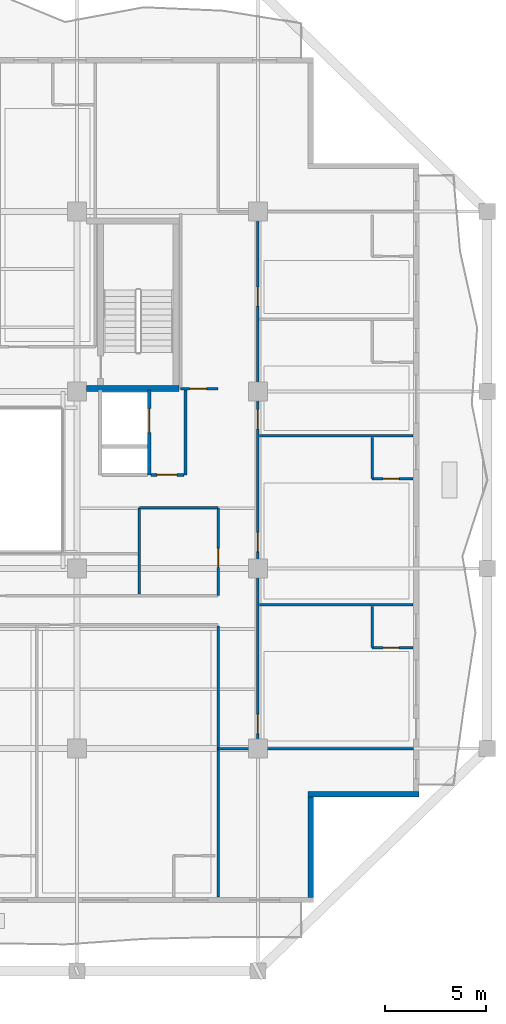
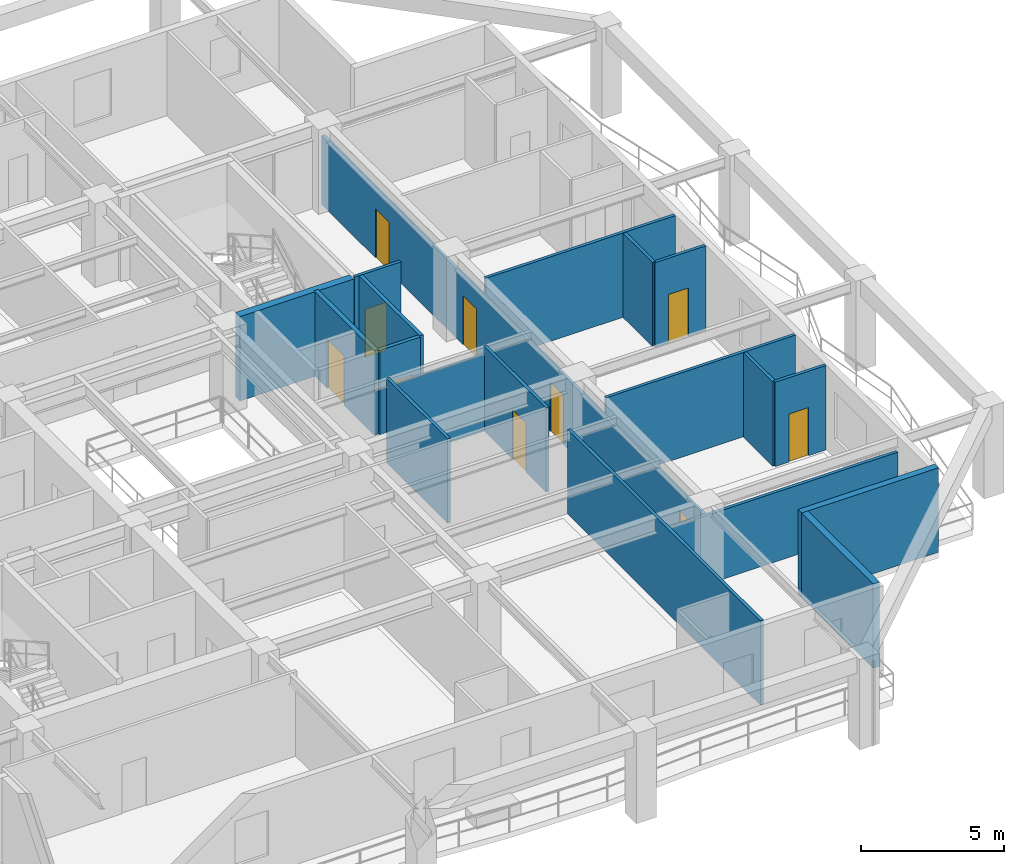
# One storey, part 5 of 13: 19 walls, 10 doors, 10 openings.
"""IFC4 building model written with IfcOpenShell, lengths in metres."""

import ifcopenshell
import ifcopenshell.guid

model = None  # the IFC model being written
_history = None  # IfcOwnerHistory: only IFC2X3 demands one
_inside = {}  # id of a spatial element -> (the spatial element, [elements in it])
_under = {}  # id of a project, library or spatial element -> (it, [spatial elements below it])
_declared = {}  # id of a project -> (the project, [libraries it declares])
_typed = {}  # id of a type object -> (the type object, [elements of that type])
_made_of = {}  # id of a material, layer set ... -> (it, [elements and type objects made of it])


def new_model(schema):
    """Start an empty IFC model of exactly this schema.

    Asked for "IFC4X3", IfcOpenShell would pick the latest addendum, in which some entities
    have other attributes; the version numbers below select the first issue.
    IFC2X3 requires an IfcOwnerHistory on every rooted entity: one is made here for all.
    """
    global model, _history
    if schema == "IFC4X3":
        model = ifcopenshell.file(schema_version=(4, 3, 0, 0))
    else:
        model = ifcopenshell.file(schema=schema)
    _inside.clear()
    _under.clear()
    _declared.clear()
    _typed.clear()
    _made_of.clear()
    _history = None
    if model.schema == "IFC2X3":
        org = make("IfcOrganization", Name="unknown")
        user = make(
            "IfcPersonAndOrganization",
            ThePerson=make("IfcPerson", FamilyName="unknown"),
            TheOrganization=org,
        )
        app = make(
            "IfcApplication",
            ApplicationDeveloper=org,
            Version="unknown",
            ApplicationFullName="unknown",
            ApplicationIdentifier="unknown",
        )
        _history = make(
            "IfcOwnerHistory",
            OwningUser=user,
            OwningApplication=app,
            ChangeAction="ADDED",
            CreationDate=0,
        )
    return model


def make(cls, **values):
    """One entity of the class cls with the attributes given. An attribute that is None is left unset."""
    return model.create_entity(
        cls, **{name: value for name, value in values.items() if value is not None}
    )


def rooted(cls, **values):
    """An entity with a GlobalId (a new one), such as an element, a storey or a relation."""
    return make(cls, GlobalId=ifcopenshell.guid.new(), OwnerHistory=_history, **values)


def si_unit(unit_type, name, prefix=None):
    """IfcSIUnit, for example si_unit("LENGTHUNIT", "METRE", prefix="MILLI")."""
    return make("IfcSIUnit", UnitType=unit_type, Prefix=prefix, Name=name)


def assignment(units):
    """IfcUnitAssignment: the units of a project."""
    return None if units is None else make("IfcUnitAssignment", Units=units)


def point(xyz):
    """IfcCartesianPoint."""
    return None if xyz is None else make("IfcCartesianPoint", Coordinates=xyz)


def direction(xyz):
    """IfcDirection."""
    return None if xyz is None else make("IfcDirection", DirectionRatios=xyz)


def frame(location, z_axis=None, x_axis=None):
    """IfcAxis2Placement3D, a coordinate frame: its origin and axes. An axis left out is left unset."""
    return make(
        "IfcAxis2Placement3D",
        Location=point(location),
        Axis=direction(z_axis),
        RefDirection=direction(x_axis),
    )


def frame_2d(location, x_axis=None):
    """IfcAxis2Placement2D, a coordinate frame in the plane: its origin and x axis."""
    return make(
        "IfcAxis2Placement2D", Location=point(location), RefDirection=direction(x_axis)
    )


def origin():
    """The frame at (0, 0, 0) with its axes left unset."""
    return frame((0.0, 0.0, 0.0))


def place(relative_to, where):
    """IfcLocalPlacement: puts the frame where relative to a parent placement (None: the world)."""
    return make(
        "IfcLocalPlacement", PlacementRelTo=relative_to, RelativePlacement=where
    )


def context(
    kind, dimensions, precision=None, world=None, true_north=None, identifier=None
):
    """IfcGeometricRepresentationContext, for example the 3D "Model" context."""
    return make(
        "IfcGeometricRepresentationContext",
        ContextIdentifier=identifier,
        ContextType=kind,
        CoordinateSpaceDimension=dimensions,
        Precision=precision,
        WorldCoordinateSystem=world,
        TrueNorth=true_north,
    )


def subcontext(parent, identifier, kind, view, scale=None):
    """IfcGeometricRepresentationSubContext, for example "Body" below "Model"."""
    return make(
        "IfcGeometricRepresentationSubContext",
        ContextIdentifier=identifier,
        ContextType=kind,
        ParentContext=parent,
        TargetScale=scale,
        TargetView=view,
    )


def project(units=None, contexts=None):
    """IfcProject with its units and contexts."""
    return rooted(
        "IfcProject",
        Name="project",
        RepresentationContexts=contexts,
        UnitsInContext=assignment(units),
    )


def spatial(cls, under=None, at=None, **own):
    """A site, building, storey or space (cls), placed at a placement, below another one or the project."""
    s = rooted(cls, ObjectPlacement=at, **own)
    if under is not None:
        _under.setdefault(under.id(), (under, []))[1].append(s)
    return s


def profile(cls, at=None, kind="AREA", **sizes):
    """A parametric profile (cls). Its sizes go by their IFC names, for example OverallWidth=200.0."""
    return make(cls, ProfileType=kind, Position=at, **sizes)


def rectangle(**sizes):
    """IfcRectangleProfileDef."""
    return profile("IfcRectangleProfileDef", **sizes)


def extrude(swept, where, along, depth):
    """IfcExtrudedAreaSolid: the profile swept, set in the frame where, extruded along a direction by depth."""
    return make(
        "IfcExtrudedAreaSolid",
        SweptArea=swept,
        Position=where,
        ExtrudedDirection=direction(along),
        Depth=depth,
    )


def shape(context_of_items, identifier, shape_type, items):
    """IfcShapeRepresentation: the items that make up one representation, for example the "Body"."""
    return make(
        "IfcShapeRepresentation",
        ContextOfItems=context_of_items,
        RepresentationIdentifier=identifier,
        RepresentationType=shape_type,
        Items=items,
    )


def material(Name=None, Category=None):
    """IfcMaterial."""
    return make("IfcMaterial", Name=Name, Category=Category)


def layer(
    of_material, thickness, ventilated=None, Name=None, Category=None, Priority=None
):
    """IfcMaterialLayer: one layer of a wall or slab, of a material (None: an air gap)."""
    return make(
        "IfcMaterialLayer",
        Material=of_material,
        LayerThickness=thickness,
        IsVentilated=ventilated,
        Name=Name,
        Category=Category,
        Priority=Priority,
    )


def layer_set(layers, Name=None):
    """IfcMaterialLayerSet."""
    return make("IfcMaterialLayerSet", MaterialLayers=layers, LayerSetName=Name)


def made_of(thing, what):
    """Note that an element or type object is made of a material, layer set ...; save() writes the relation."""
    if what is not None:
        _made_of.setdefault(what.id(), (what, []))[1].append(thing)
    return thing


def type_object(cls, material=None, **own):
    """A type object (cls), such as IfcWallType, which elements share."""
    return made_of(rooted(cls, **own), material)


def element(
    cls,
    number,
    at=None,
    inside=None,
    cuts=None,
    type_object=None,
    material=None,
    context=None,
    identifier="Body",
    shape_type=None,
    held_by="IfcProductDefinitionShape",
    body=None,
    shapes=None,
    **own,
):
    """One element of the class cls, such as IfcWall. Its Tag is "e" and its number.

    at: its placement. inside: the storey or other place that contains it. cuts: it is an
    opening in that element (IfcRelVoidsElement). A single representation is given by context,
    identifier, shape_type and body (its items); several are given by shapes. held_by: the class
    of the entity that holds the representations. save() writes the other relations.
    """
    e = rooted(cls, Tag="e%d" % number, ObjectPlacement=at, **own)
    if body is not None:
        shapes = [shape(context, identifier, shape_type, body)]
    if shapes is not None:
        e.Representation = make(held_by, Representations=shapes)
    if inside is not None:
        _inside.setdefault(inside.id(), (inside, []))[1].append(e)
    if cuts is not None:
        rooted(
            "IfcRelVoidsElement", RelatingBuildingElement=cuts, RelatedOpeningElement=e
        )
    if type_object is not None:
        _typed.setdefault(type_object.id(), (type_object, []))[1].append(e)
    return made_of(e, material)


def fill(opening, filler):
    """IfcRelFillsElement: the door or window that sits in an opening."""
    return rooted(
        "IfcRelFillsElement",
        RelatingOpeningElement=opening,
        RelatedBuildingElement=filler,
    )


def aggregate(whole, parts):
    """IfcRelAggregates: a whole, such as a stair, and the parts it consists of."""
    return rooted("IfcRelAggregates", RelatingObject=whole, RelatedObjects=parts)


def save(model, path):
    """Write the relations noted so far, then the file.

    IfcRelAggregates (storeys below a building ...), IfcRelContainedInSpatialStructure (elements
    in a storey), IfcRelDefinesByType, IfcRelAssociatesMaterial and IfcRelDeclares: one each for
    every whole, place, type object, material and project.
    """
    for whole, parts in _under.values():
        aggregate(whole, parts)
    for where, things in _inside.values():
        rooted(
            "IfcRelContainedInSpatialStructure",
            RelatedElements=things,
            RelatingStructure=where,
        )
    for kind, things in _typed.values():
        rooted("IfcRelDefinesByType", RelatedObjects=things, RelatingType=kind)
    for what, things in _made_of.values():
        rooted("IfcRelAssociatesMaterial", RelatedObjects=things, RelatingMaterial=what)
    for by, libraries in _declared.values():
        rooted("IfcRelDeclares", RelatingContext=by, RelatedDefinitions=libraries)
    model.write(path)


model = new_model("IFC4")

# Units and contexts
model_context = context("Model", 3, precision=1e-05, world=origin(), true_north=direction((0.0, 1.0)))
body_context = subcontext(model_context, "Body", "Model", "MODEL_VIEW")
ifc_project = project(units=[si_unit("LENGTHUNIT", "METRE"), si_unit("AREAUNIT", "SQUARE_METRE"), si_unit("VOLUMEUNIT", "CUBIC_METRE"), si_unit("PLANEANGLEUNIT", "RADIAN"), si_unit("MASSUNIT", "GRAM", prefix="KILO")], contexts=[model_context])

# Site, building, storey
site_placement = place(None, origin())
site = spatial("IfcSite", under=ifc_project, at=site_placement, CompositionType="ELEMENT")
building_placement = place(site_placement, origin())
building = spatial("IfcBuilding", under=site, at=building_placement, Name="Kundavana Baori Tower", CompositionType="ELEMENT")
storey_placement = place(building_placement, frame((0.0, 0.0, 169.449951171875)))
storey = spatial("IfcBuildingStorey", under=building, at=storey_placement, Name="L41", CompositionType="ELEMENT", Elevation=169.449951171875)

# Walls
ifc_material_1 = material(Name="Kiln-Fired Terracotta Brick-Slip Masonry on Concrete C40/50", Category="masonry")
ifc_layer_1 = layer(ifc_material_1, 0.260009765625, Name="WL-EXT-BRK-260")
ifc_layer_set_1 = layer_set([ifc_layer_1], Name="Kiln-Fired Terracotta Brick-Slip Masonry on Concrete C40/50")
wall_type_1 = type_object("IfcWallType", Name="WL-EXT-BRK-260", PredefinedType="SOLIDWALL", material=ifc_layer_set_1)
wall_1_placement = place(storey_placement, frame((45.419921875, 7.860107421875, 0.0), z_axis=(0.0, 0.0, 1.0), x_axis=(0.0, 1.0, 0.0)))
element("IfcWall", 1, at=wall_1_placement, inside=storey, type_object=wall_type_1, Name="L41 Exterior Insulated Facade Wall 02", PredefinedType="SOLIDWALL", context=body_context, shape_type="SweptSolid", body=[
    extrude(rectangle(XDim=4.989990234375, YDim=0.260009765625, at=frame_2d((2.4951171875, 0.0))), origin(), (0.0, 0.0, 1.0), 3.60009765625),
])
wall_2_placement = place(storey_placement, frame((45.2900390625, 12.97998046875, 0.0), z_axis=(0.0, 0.0, 1.0), x_axis=(1.0, 0.0, 0.0)))
element("IfcWall", 2, at=wall_2_placement, inside=storey, type_object=wall_type_1, Name="L41 Exterior Insulated Facade Wall 03", PredefinedType="SOLIDWALL", context=body_context, shape_type="SweptSolid", body=[
    extrude(rectangle(XDim=5.510009765625, YDim=0.260009765625, at=frame_2d((2.7548828125, 0.0))), origin(), (0.0, 0.0, 1.0), 3.60009765625),
])
ifc_material_2 = material(Name="Fire-Rated Gypsum Drywall on Galvanised Steel Studs", Category="steel")
ifc_layer_2 = layer(ifc_material_2, 0.14990234375, Name="WL-PART-150")
ifc_layer_set_2 = layer_set([ifc_layer_2], Name="Fire-Rated Gypsum Drywall on Galvanised Steel Studs")
wall_type_2 = type_object("IfcWallType", Name="WL-PART-150", PredefinedType="PARTITIONING", material=ifc_layer_set_2)
wall_3_placement = place(storey_placement, frame((39.199951171875, 28.860107421875, 0.0), z_axis=(0.0, 0.0, 1.0), x_axis=(0.0, 1.0, 0.0)))
element("IfcWall", 3, at=wall_3_placement, inside=storey, type_object=wall_type_2, Name="WL-L41-SVLOB-E", PredefinedType="PARTITIONING", context=body_context, shape_type="SweptSolid", body=[
    extrude(rectangle(XDim=4.219970703125, YDim=0.14990234375, at=frame_2d((2.10986328125, 0.0))), origin(), (0.0, 0.0, 1.0), 3.60009765625),
])

# Wall, opening, door
wall_4_placement = place(storey_placement, frame((37.47998046875, 28.860107421875, 0.0), z_axis=(0.0, 0.0, 1.0), x_axis=(1.0, 0.0, 0.0)))
wall_4 = element("IfcWall", 4, at=wall_4_placement, inside=storey, type_object=wall_type_2, Name="WL-L41-SVLOB-S", PredefinedType="PARTITIONING", context=body_context, shape_type="SweptSolid", body=[
    extrude(rectangle(XDim=1.64013671875, YDim=0.14990234375, at=frame_2d((0.820068359375, 0.0))), origin(), (0.0, 0.0, 1.0), 3.60009765625),
])
opening_1_placement = place(wall_4_placement, frame((0.300048828125, 0.0, 0.0)))
opening_1 = element("IfcOpeningElement", 5, at=opening_1_placement, cuts=wall_4, Name="Opening FD-100", PredefinedType="OPENING", context=body_context, shape_type="SweptSolid", body=[
    extrude(rectangle(XDim=1.0, YDim=2.10009765625, at=frame_2d((0.5, 1.050048828125))), frame((0.0, 0.0849609375, 0.0), z_axis=(0.0, -1.0, 0.0), x_axis=(1.0, 0.0, 0.0)), (0.0, 0.0, 1.0), 0.169921875),
])
ifc_material_3 = material(Name="Engineered Teak Fire-Rated Timber Door Leaf", Category="wood")
door_type_1 = type_object("IfcDoorType", Name="DR-FD60-1000", OperationType="NOTDEFINED", PredefinedType="DOOR", material=ifc_material_3)
door_1_placement = place(opening_1_placement, origin())
door_1 = element("IfcDoor", 6, at=door_1_placement, inside=storey, type_object=door_type_1, Name="DR-L41-SVLOB-OUT", OperationType="SINGLE_SWING_LEFT", OverallHeight=2.10009765625, OverallWidth=1.0, PredefinedType="DOOR", context=body_context, shape_type="SweptSolid", body=[
    extrude(rectangle(XDim=1.0, YDim=2.10009765625, at=frame_2d((0.5, 1.050048828125))), frame((0.0, 0.02490234375, 0.0), z_axis=(0.0, -1.0, 0.0), x_axis=(1.0, 0.0, 0.0)), (0.0, 0.0, 1.0), 0.050048828125),
])
fill(opening_1, door_1)

ifc_material_4 = material(Name="Autoclaved Aerated Concrete Blockwork Masonry", Category="masonry")
ifc_layer_3 = layer(ifc_material_4, 0.179931640625, Name="WL-SHAFT-180")
ifc_layer_set_3 = layer_set([ifc_layer_3], Name="Autoclaved Aerated Concrete Blockwork Masonry")
wall_type_3 = type_object("IfcWallType", Name="WL-SHAFT-180", PredefinedType="SOLIDWALL", material=ifc_layer_set_3)
wall_5_placement = place(storey_placement, frame((37.389892578125, 28.860107421875, 0.0), z_axis=(0.0, 0.0, 1.0), x_axis=(0.0, 1.0, 0.0)))
wall_5 = element("IfcWall", 7, at=wall_5_placement, inside=storey, type_object=wall_type_3, Name="WL-L41-SVL-E", PredefinedType="SOLIDWALL", context=body_context, shape_type="SweptSolid", body=[
    extrude(rectangle(XDim=4.219970703125, YDim=0.179931640625, at=frame_2d((2.10986328125, 0.0))), origin(), (0.0, 0.0, 1.0), 3.60009765625),
])
opening_2_placement = place(wall_5_placement, frame((2.10009765625, 0.0, 0.0)))
opening_2 = element("IfcOpeningElement", 8, at=opening_2_placement, cuts=wall_5, Name="Opening LD-120", PredefinedType="OPENING", context=body_context, shape_type="SweptSolid", body=[
    extrude(rectangle(XDim=1.199951171875, YDim=2.1201171875, at=frame_2d((0.60009765625, 1.06005859375))), frame((0.0, 0.10009765625, 0.0), z_axis=(0.0, -1.0, 0.0), x_axis=(1.0, 0.0, 0.0)), (0.0, 0.0, 1.0), 0.199951171875),
])
ifc_material_5 = material(Name="Galvanised Steel Fire-Rated Door Leaf", Category="steel")
door_type_2 = type_object("IfcDoorType", Name="DR-SLIDE-LD1200", OperationType="NOTDEFINED", PredefinedType="DOOR", material=ifc_material_5)
door_2_placement = place(opening_2_placement, frame((1.199951171875, 0.0, 0.0), z_axis=(0.0, 0.0, 1.0), x_axis=(-1.0, 0.0, 0.0)))
door_2 = element("IfcDoor", 9, at=door_2_placement, inside=storey, type_object=door_type_2, Name="DR-L41-LD-SVL1", OperationType="DOUBLE_DOOR_SLIDING", OverallHeight=2.1201171875, OverallWidth=1.199951171875, PredefinedType="DOOR", context=body_context, shape_type="SweptSolid", body=[
    extrude(rectangle(XDim=1.199951171875, YDim=2.1201171875, at=frame_2d((0.60009765625, 1.06005859375))), frame((0.0, 0.02490234375, 0.0), z_axis=(0.0, -1.0, 0.0), x_axis=(1.0, 0.0, 0.0)), (0.0, 0.0, 1.0), 0.050048828125),
])
fill(opening_2, door_2)

# Wall
ifc_material_6 = material(Name="Concrete C50/60", Category="concrete")
ifc_layer_4 = layer(ifc_material_6, 0.300048828125, Name="WL-ST3-300")
ifc_layer_set_4 = layer_set([ifc_layer_4], Name="Concrete C50/60")
wall_type_4 = type_object("IfcWallType", Name="WL-ST3-300", PredefinedType="SHEAR", material=ifc_layer_set_4)
wall_6_placement = place(storey_placement, frame((34.27490234375, 33.159912109375, 0.0), z_axis=(0.0, 0.0, 1.0), x_axis=(1.0, 0.0, 0.0)))
element("IfcWall", 10, at=wall_6_placement, inside=storey, type_object=wall_type_4, Name="L41 Stair ST3 South Shear Wall", PredefinedType="SHEAR", context=body_context, shape_type="SweptSolid", body=[
    extrude(rectangle(XDim=4.59521484375, YDim=0.300048828125, at=frame_2d((2.297607421875, 0.0))), origin(), (0.0, 0.0, 1.0), 3.60009765625),
])

# Wall, openings, doors
ifc_material_7 = material(Name="Autoclaved Aerated Concrete Blockwork Masonry", Category="masonry")
ifc_layer_5 = layer(ifc_material_7, 0.125, Name="WL-WET-120")
ifc_layer_set_5 = layer_set([ifc_layer_5], Name="Autoclaved Aerated Concrete Blockwork Masonry")
wall_type_5 = type_object("IfcWallType", Name="WL-WET-120", PredefinedType="PLUMBINGWALL", material=ifc_layer_set_5)
wall_7_placement = place(storey_placement, frame((42.800048828125, 15.25, 0.0), z_axis=(0.0, 0.0, 1.0), x_axis=(0.0, 1.0, 0.0)))
wall_7 = element("IfcWall", 11, at=wall_7_placement, inside=storey, type_object=wall_type_5, Name="WL-L41-HE", PredefinedType="PLUMBINGWALL", context=body_context, shape_type="SweptSolid", body=[
    extrude(rectangle(XDim=26.699951171875, YDim=0.125, at=frame_2d((13.35009765625, 0.0))), origin(), (0.0, 0.0, 1.0), 2.949951171875),
])
opening_3_placement = place(wall_7_placement, frame((0.75, 0.0, 0.0)))
opening_3 = element("IfcOpeningElement", 12, at=opening_3_placement, cuts=wall_7, Name="Opening FD-095", PredefinedType="OPENING", context=body_context, shape_type="SweptSolid", body=[
    extrude(rectangle(XDim=0.949951171875, YDim=2.10009765625, at=frame_2d((0.47509765625, 1.050048828125))), frame((0.0, 0.072509765625, 0.0), z_axis=(0.0, -1.0, 0.0), x_axis=(1.0, 0.0, 0.0)), (0.0, 0.0, 1.0), 0.14501953125),
])
opening_4_placement = place(wall_7_placement, frame((9.800048828125, 0.0, 0.0)))
opening_4 = element("IfcOpeningElement", 13, at=opening_4_placement, cuts=wall_7, Name="Opening FD-095", PredefinedType="OPENING", context=body_context, shape_type="SweptSolid", body=[
    extrude(rectangle(XDim=0.949951171875, YDim=2.10009765625, at=frame_2d((0.47509765625, 1.050048828125))), frame((0.0, 0.072509765625, 0.0), z_axis=(0.0, -1.0, 0.0), x_axis=(1.0, 0.0, 0.0)), (0.0, 0.0, 1.0), 0.14501953125),
])
opening_5_placement = place(wall_7_placement, frame((15.89990234375, 0.0, 0.0)))
opening_5 = element("IfcOpeningElement", 14, at=opening_5_placement, cuts=wall_7, Name="Opening FD-095", PredefinedType="OPENING", context=body_context, shape_type="SweptSolid", body=[
    extrude(rectangle(XDim=0.949951171875, YDim=2.10009765625, at=frame_2d((0.47509765625, 1.050048828125))), frame((0.0, 0.072509765625, 0.0), z_axis=(0.0, -1.0, 0.0), x_axis=(1.0, 0.0, 0.0)), (0.0, 0.0, 1.0), 0.14501953125),
])
opening_6_placement = place(wall_7_placement, frame((22.0, 0.0, 0.0)))
opening_6 = element("IfcOpeningElement", 15, at=opening_6_placement, cuts=wall_7, Name="Opening FD-095", PredefinedType="OPENING", context=body_context, shape_type="SweptSolid", body=[
    extrude(rectangle(XDim=0.949951171875, YDim=2.10009765625, at=frame_2d((0.47509765625, 1.050048828125))), frame((0.0, 0.072509765625, 0.0), z_axis=(0.0, -1.0, 0.0), x_axis=(1.0, 0.0, 0.0)), (0.0, 0.0, 1.0), 0.14501953125),
])
ifc_material_8 = material(Name="Engineered Teak Fire-Rated Timber Door Leaf", Category="wood")
door_type_3 = type_object("IfcDoorType", Name="DR-FD60-950", OperationType="NOTDEFINED", PredefinedType="DOOR", material=ifc_material_8)
door_3_placement = place(opening_3_placement, origin())
door_3 = element("IfcDoor", 16, at=door_3_placement, inside=storey, type_object=door_type_3, Name="DR-L41-HK-E1-ENT", OperationType="SINGLE_SWING_LEFT", OverallHeight=2.10009765625, OverallWidth=0.949951171875, PredefinedType="DOOR", context=body_context, shape_type="SweptSolid", body=[
    extrude(rectangle(XDim=0.949951171875, YDim=2.10009765625, at=frame_2d((0.47509765625, 1.050048828125))), frame((0.0, 0.02490234375, 0.0), z_axis=(0.0, -1.0, 0.0), x_axis=(1.0, 0.0, 0.0)), (0.0, 0.0, 1.0), 0.050048828125),
])
fill(opening_3, door_3)
door_4_placement = place(opening_4_placement, origin())
door_4 = element("IfcDoor", 17, at=door_4_placement, inside=storey, type_object=door_type_3, Name="DR-L41-HK-E2-ENT", OperationType="SINGLE_SWING_LEFT", OverallHeight=2.10009765625, OverallWidth=0.949951171875, PredefinedType="DOOR", context=body_context, shape_type="SweptSolid", body=[
    extrude(rectangle(XDim=0.949951171875, YDim=2.10009765625, at=frame_2d((0.47509765625, 1.050048828125))), frame((0.0, 0.02490234375, 0.0), z_axis=(0.0, -1.0, 0.0), x_axis=(1.0, 0.0, 0.0)), (0.0, 0.0, 1.0), 0.050048828125),
])
fill(opening_4, door_4)
door_5_placement = place(opening_5_placement, origin())
door_5 = element("IfcDoor", 18, at=door_5_placement, inside=storey, type_object=door_type_3, Name="DR-L41-HK-E3-ENT", OperationType="SINGLE_SWING_LEFT", OverallHeight=2.10009765625, OverallWidth=0.949951171875, PredefinedType="DOOR", context=body_context, shape_type="SweptSolid", body=[
    extrude(rectangle(XDim=0.949951171875, YDim=2.10009765625, at=frame_2d((0.47509765625, 1.050048828125))), frame((0.0, 0.02490234375, 0.0), z_axis=(0.0, -1.0, 0.0), x_axis=(1.0, 0.0, 0.0)), (0.0, 0.0, 1.0), 0.050048828125),
])
fill(opening_5, door_5)
door_6_placement = place(opening_6_placement, origin())
door_6 = element("IfcDoor", 19, at=door_6_placement, inside=storey, type_object=door_type_3, Name="DR-L41-HK-E4-ENT", OperationType="SINGLE_SWING_LEFT", OverallHeight=2.10009765625, OverallWidth=0.949951171875, PredefinedType="DOOR", context=body_context, shape_type="SweptSolid", body=[
    extrude(rectangle(XDim=0.949951171875, YDim=2.10009765625, at=frame_2d((0.47509765625, 1.050048828125))), frame((0.0, 0.02490234375, 0.0), z_axis=(0.0, -1.0, 0.0), x_axis=(1.0, 0.0, 0.0)), (0.0, 0.0, 1.0), 0.050048828125),
])
fill(opening_6, door_6)

# Wall
wall_8_placement = place(storey_placement, frame((40.820068359375, 15.25, 0.0), z_axis=(0.0, 0.0, 1.0), x_axis=(1.0, 0.0, 0.0)))
element("IfcWall", 20, at=wall_8_placement, inside=storey, type_object=wall_type_5, Name="WL-L41-HES", PredefinedType="PLUMBINGWALL", context=body_context, shape_type="SweptSolid", body=[
    extrude(rectangle(XDim=9.699951171875, YDim=0.125, at=frame_2d((4.85009765625, 0.0))), origin(), (0.0, 0.0, 1.0), 2.949951171875),
])

# Wall, opening, door
wall_9_placement = place(storey_placement, frame((40.820068359375, 22.860107421875, 0.0), z_axis=(0.0, 0.0, 1.0), x_axis=(0.0, 1.0, 0.0)))
wall_9 = element("IfcWall", 21, at=wall_9_placement, inside=storey, type_object=wall_type_5, Name="WL-L41-HEW", PredefinedType="PLUMBINGWALL", context=body_context, shape_type="SweptSolid", body=[
    extrude(rectangle(XDim=4.35986328125, YDim=0.125, at=frame_2d((2.179931640625, 0.0))), origin(), (0.0, 0.0, 1.0), 3.60009765625),
])
opening_7_placement = place(wall_9_placement, frame((1.39990234375, 0.0, 0.0)))
opening_7 = element("IfcOpeningElement", 22, at=opening_7_placement, cuts=wall_9, Name="Opening FD-095", PredefinedType="OPENING", context=body_context, shape_type="SweptSolid", body=[
    extrude(rectangle(XDim=0.949951171875, YDim=2.10009765625, at=frame_2d((0.47509765625, 1.050048828125))), frame((0.0, 0.072509765625, 0.0), z_axis=(0.0, -1.0, 0.0), x_axis=(1.0, 0.0, 0.0)), (0.0, 0.0, 1.0), 0.14501953125),
])
door_7_placement = place(opening_7_placement, frame((0.949951171875, 0.0, 0.0), z_axis=(0.0, 0.0, 1.0), x_axis=(-1.0, 0.0, 0.0)))
door_7 = element("IfcDoor", 23, at=door_7_placement, inside=storey, type_object=door_type_3, Name="DR-L41-HSK", OperationType="SINGLE_SWING_RIGHT", OverallHeight=2.10009765625, OverallWidth=0.949951171875, PredefinedType="DOOR", context=body_context, shape_type="SweptSolid", body=[
    extrude(rectangle(XDim=0.949951171875, YDim=2.10009765625, at=frame_2d((0.47509765625, 1.050048828125))), frame((0.0, 0.02490234375, 0.0), z_axis=(0.0, -1.0, 0.0), x_axis=(1.0, 0.0, 0.0)), (0.0, 0.0, 1.0), 0.050048828125),
])
fill(opening_7, door_7)

# Walls
wall_10_placement = place(storey_placement, frame((36.89990234375, 27.219970703125, 0.0), z_axis=(0.0, 0.0, 1.0), x_axis=(1.0, 0.0, 0.0)))
element("IfcWall", 24, at=wall_10_placement, inside=storey, type_object=wall_type_5, Name="WL-L41-HKN", PredefinedType="PLUMBINGWALL", context=body_context, shape_type="SweptSolid", body=[
    extrude(rectangle(XDim=3.920166015625, YDim=0.125, at=frame_2d((1.9599609375, 0.0))), origin(), (0.0, 0.0, 1.0), 3.25),
])
wall_11_placement = place(storey_placement, frame((36.89990234375, 22.93994140625, 0.0), z_axis=(0.0, 0.0, 1.0), x_axis=(0.0, 1.0, 0.0)))
element("IfcWall", 25, at=wall_11_placement, inside=storey, type_object=wall_type_5, Name="WL-L41-HKD", PredefinedType="PLUMBINGWALL", context=body_context, shape_type="SweptSolid", body=[
    extrude(rectangle(XDim=4.280029296875, YDim=0.125, at=frame_2d((2.14013671875, 0.0))), origin(), (0.0, 0.0, 1.0), 3.60009765625),
])
wall_12_placement = place(storey_placement, frame((40.820068359375, 7.8798828125, 0.0), z_axis=(0.0, 0.0, 1.0), x_axis=(0.0, 1.0, 0.0)))
element("IfcWall", 26, at=wall_12_placement, inside=storey, type_object=wall_type_5, Name="WL-L41-HSEND", PredefinedType="PLUMBINGWALL", context=body_context, shape_type="SweptSolid", body=[
    extrude(rectangle(XDim=13.460205078125, YDim=0.125, at=frame_2d((6.72998046875, 0.0))), origin(), (0.0, 0.0, 1.0), 3.60009765625),
])
wall_13_placement = place(storey_placement, frame((48.469970703125, 20.27001953125, 0.0), z_axis=(0.0, 0.0, 1.0), x_axis=(0.0, 1.0, 0.0)))
element("IfcWall", 27, at=wall_13_placement, inside=storey, type_object=wall_type_5, Name="WL-L41-HK-E1-BW", PredefinedType="PLUMBINGWALL", context=body_context, shape_type="SweptSolid", body=[
    extrude(rectangle(XDim=2.050048828125, YDim=0.125, at=frame_2d((1.02490234375, 0.0))), origin(), (0.0, 0.0, 1.0), 3.60009765625),
])

# Wall, opening, door
wall_14_placement = place(storey_placement, frame((48.469970703125, 20.27001953125, 0.0), z_axis=(0.0, 0.0, 1.0), x_axis=(1.0, 0.0, 0.0)))
wall_14 = element("IfcWall", 28, at=wall_14_placement, inside=storey, type_object=wall_type_5, Name="WL-L41-HK-E1-BS", PredefinedType="PLUMBINGWALL", context=body_context, shape_type="SweptSolid", body=[
    extrude(rectangle(XDim=2.050048828125, YDim=0.125, at=frame_2d((1.02490234375, 0.0))), origin(), (0.0, 0.0, 1.0), 3.60009765625),
])
opening_8_placement = place(wall_14_placement, frame((0.550048828125, 0.0, 0.0)))
opening_8 = element("IfcOpeningElement", 29, at=opening_8_placement, cuts=wall_14, Name="Opening WD-080", PredefinedType="OPENING", context=body_context, shape_type="SweptSolid", body=[
    extrude(rectangle(XDim=0.800048828125, YDim=2.050048828125, at=frame_2d((0.39990234375, 1.02490234375))), frame((0.0, 0.072509765625, 0.0), z_axis=(0.0, -1.0, 0.0), x_axis=(1.0, 0.0, 0.0)), (0.0, 0.0, 1.0), 0.14501953125),
])
ifc_material_9 = material(Name="Engineered Teak Solid-Core Timber Veneer", Category="wood")
door_type_4 = type_object("IfcDoorType", Name="DR-WET-800", OperationType="NOTDEFINED", PredefinedType="DOOR", material=ifc_material_9)
door_8_placement = place(opening_8_placement, frame((0.800048828125, 0.0, 0.0), z_axis=(0.0, 0.0, 1.0), x_axis=(-1.0, 0.0, 0.0)))
door_8 = element("IfcDoor", 30, at=door_8_placement, inside=storey, type_object=door_type_4, Name="DR-L41-HK-E1-ENS", OperationType="SINGLE_SWING_LEFT", OverallHeight=2.050048828125, OverallWidth=0.800048828125, PredefinedType="DOOR", context=body_context, shape_type="SweptSolid", body=[
    extrude(rectangle(XDim=0.800048828125, YDim=2.050048828125, at=frame_2d((0.39990234375, 1.02490234375))), frame((0.0, 0.02490234375, 0.0), z_axis=(0.0, -1.0, 0.0), x_axis=(1.0, 0.0, 0.0)), (0.0, 0.0, 1.0), 0.050048828125),
])
fill(opening_8, door_8)

# Walls
wall_15_placement = place(storey_placement, frame((42.8798828125, 22.39990234375, 0.0), z_axis=(0.0, 0.0, 1.0), x_axis=(1.0, 0.0, 0.0)))
element("IfcWall", 31, at=wall_15_placement, inside=storey, type_object=wall_type_5, Name="WL-L41-HED1", PredefinedType="PLUMBINGWALL", context=body_context, shape_type="SweptSolid", body=[
    extrude(rectangle(XDim=7.64013671875, YDim=0.125, at=frame_2d((3.820068359375, 0.0))), origin(), (0.0, 0.0, 1.0), 3.60009765625),
])
wall_16_placement = place(storey_placement, frame((48.469970703125, 28.669921875, 0.0), z_axis=(0.0, 0.0, 1.0), x_axis=(0.0, 1.0, 0.0)))
element("IfcWall", 32, at=wall_16_placement, inside=storey, type_object=wall_type_5, Name="WL-L41-HK-E2-BW", PredefinedType="PLUMBINGWALL", context=body_context, shape_type="SweptSolid", body=[
    extrude(rectangle(XDim=2.050048828125, YDim=0.125, at=frame_2d((1.02490234375, 0.0))), origin(), (0.0, 0.0, 1.0), 3.60009765625),
])

# Wall, opening, door
wall_17_placement = place(storey_placement, frame((48.469970703125, 28.669921875, 0.0), z_axis=(0.0, 0.0, 1.0), x_axis=(1.0, 0.0, 0.0)))
wall_17 = element("IfcWall", 33, at=wall_17_placement, inside=storey, type_object=wall_type_5, Name="WL-L41-HK-E2-BS", PredefinedType="PLUMBINGWALL", context=body_context, shape_type="SweptSolid", body=[
    extrude(rectangle(XDim=2.050048828125, YDim=0.125, at=frame_2d((1.02490234375, 0.0))), origin(), (0.0, 0.0, 1.0), 3.60009765625),
])
opening_9_placement = place(wall_17_placement, frame((0.550048828125, 0.0, 0.0)))
opening_9 = element("IfcOpeningElement", 34, at=opening_9_placement, cuts=wall_17, Name="Opening WD-080", PredefinedType="OPENING", context=body_context, shape_type="SweptSolid", body=[
    extrude(rectangle(XDim=0.800048828125, YDim=2.050048828125, at=frame_2d((0.39990234375, 1.02490234375))), frame((0.0, 0.072509765625, 0.0), z_axis=(0.0, -1.0, 0.0), x_axis=(1.0, 0.0, 0.0)), (0.0, 0.0, 1.0), 0.14501953125),
])
door_9_placement = place(opening_9_placement, frame((0.800048828125, 0.0, 0.0), z_axis=(0.0, 0.0, 1.0), x_axis=(-1.0, 0.0, 0.0)))
door_9 = element("IfcDoor", 35, at=door_9_placement, inside=storey, type_object=door_type_4, Name="DR-L41-HK-E2-ENS", OperationType="SINGLE_SWING_LEFT", OverallHeight=2.050048828125, OverallWidth=0.800048828125, PredefinedType="DOOR", context=body_context, shape_type="SweptSolid", body=[
    extrude(rectangle(XDim=0.800048828125, YDim=2.050048828125, at=frame_2d((0.39990234375, 1.02490234375))), frame((0.0, 0.02490234375, 0.0), z_axis=(0.0, -1.0, 0.0), x_axis=(1.0, 0.0, 0.0)), (0.0, 0.0, 1.0), 0.050048828125),
])
fill(opening_9, door_9)

# Wall
wall_18_placement = place(storey_placement, frame((42.8798828125, 30.800048828125, 0.0), z_axis=(0.0, 0.0, 1.0), x_axis=(1.0, 0.0, 0.0)))
element("IfcWall", 36, at=wall_18_placement, inside=storey, type_object=wall_type_5, Name="WL-L41-HED2", PredefinedType="PLUMBINGWALL", context=body_context, shape_type="SweptSolid", body=[
    extrude(rectangle(XDim=7.64013671875, YDim=0.125, at=frame_2d((3.820068359375, 0.0))), origin(), (0.0, 0.0, 1.0), 3.60009765625),
])

# Wall, opening, door
wall_19_placement = place(storey_placement, frame((38.949951171875, 33.14990234375, 0.0), z_axis=(0.0, 0.0, 1.0), x_axis=(1.0, 0.0, 0.0)))
wall_19 = element("IfcWall", 37, at=wall_19_placement, inside=storey, type_object=wall_type_5, Name="WL-L41-HNES", PredefinedType="PLUMBINGWALL", context=body_context, shape_type="SweptSolid", body=[
    extrude(rectangle(XDim=1.8701171875, YDim=0.125, at=frame_2d((0.93505859375, 0.0))), origin(), (0.0, 0.0, 1.0), 3.60009765625),
])
opening_10_placement = place(wall_19_placement, frame((0.449951171875, 0.0, 0.0)))
opening_10 = element("IfcOpeningElement", 38, at=opening_10_placement, cuts=wall_19, Name="Opening WD-085", PredefinedType="OPENING", context=body_context, shape_type="SweptSolid", body=[
    extrude(rectangle(XDim=0.85009765625, YDim=2.050048828125, at=frame_2d((0.425048828125, 1.02490234375))), frame((0.0, 0.072509765625, 0.0), z_axis=(0.0, -1.0, 0.0), x_axis=(1.0, 0.0, 0.0)), (0.0, 0.0, 1.0), 0.14501953125),
])
ifc_material_10 = material(Name="Engineered Teak Solid-Core Timber Veneer", Category="wood")
door_type_5 = type_object("IfcDoorType", Name="DR-WET-850", OperationType="NOTDEFINED", PredefinedType="DOOR", material=ifc_material_10)
door_10_placement = place(opening_10_placement, origin())
door_10 = element("IfcDoor", 39, at=door_10_placement, inside=storey, type_object=door_type_5, Name="DR-L41-HLNE", OperationType="SINGLE_SWING_LEFT", OverallHeight=2.050048828125, OverallWidth=0.85009765625, PredefinedType="DOOR", context=body_context, shape_type="SweptSolid", body=[
    extrude(rectangle(XDim=0.85009765625, YDim=2.050048828125, at=frame_2d((0.425048828125, 1.02490234375))), frame((0.0, 0.02490234375, 0.0), z_axis=(0.0, -1.0, 0.0), x_axis=(1.0, 0.0, 0.0)), (0.0, 0.0, 1.0), 0.050048828125),
])
fill(opening_10, door_10)

save(model, "model.ifc")
